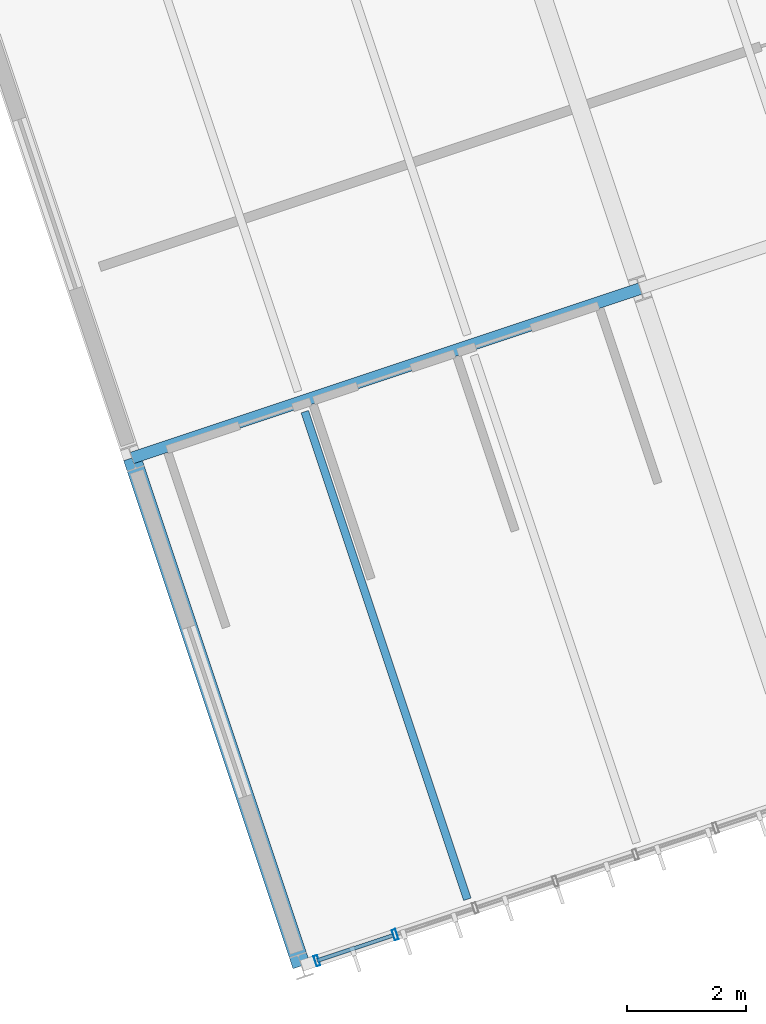
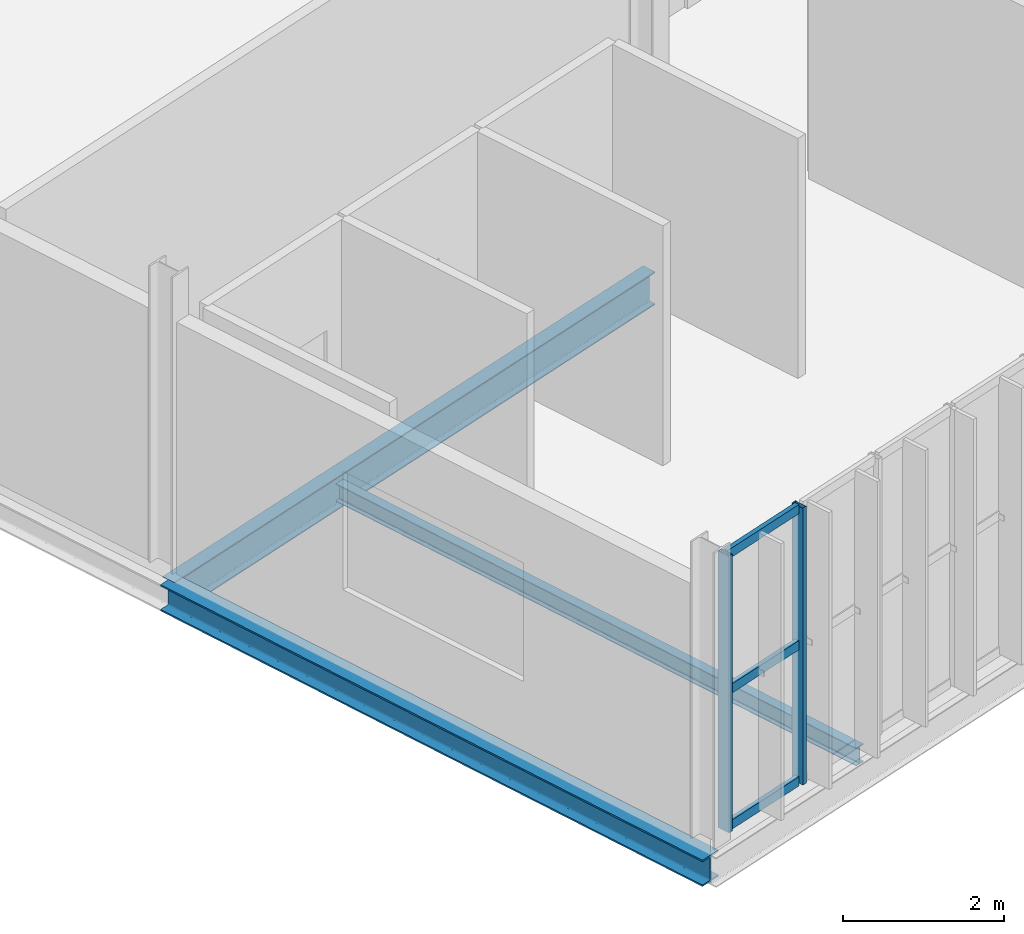
# One storey, part 26 of 152: 5 members, 3 beams, 1 element without a shape of its own.
"""IFC4 building model written with IfcOpenShell, lengths in metres."""

from ifc_helpers import new_model, si_unit, derived_unit, direction, frame, origin, origin_2d, place, context, subcontext, project, spatial, hollow_rectangle, i_section, extrude, material, material_profile, profile_set, type_object, element, aggregate, save


model = new_model("IFC4")

# Units and contexts
model_context = context("Model", 3, precision=1e-05, world=origin(), true_north=direction((0.0, 1.0)))
body_context = subcontext(model_context, "Body", "Model", "MODEL_VIEW")
ifc_project = project(units=[si_unit("LENGTHUNIT", "METRE"), si_unit("AREAUNIT", "SQUARE_METRE"), si_unit("VOLUMEUNIT", "CUBIC_METRE"), si_unit("PLANEANGLEUNIT", "RADIAN"), si_unit("MASSUNIT", "GRAM", prefix="KILO"), si_unit("THERMODYNAMICTEMPERATUREUNIT", "KELVIN"), si_unit("TIMEUNIT", "SECOND"), derived_unit("THERMALTRANSMITTANCEUNIT", [(si_unit("MASSUNIT", "GRAM", prefix="KILO"), 1), (si_unit("THERMODYNAMICTEMPERATUREUNIT", "KELVIN"), -1), (si_unit("TIMEUNIT", "SECOND"), -3)])], contexts=[model_context])

# Site, building, storey
site_placement = place(None, origin())
site = spatial("IfcSite", under=ifc_project, at=site_placement, CompositionType="ELEMENT")
building_placement = place(site_placement, origin())
building = spatial("IfcBuilding", under=site, at=building_placement, Name="Cambertide Market Hall", CompositionType="ELEMENT")
storey_placement = place(building_placement, frame((0.0, 0.0, 5.39990234375)))
storey = spatial("IfcBuildingStorey", under=building, at=storey_placement, Name="L02", CompositionType="ELEMENT", Elevation=5.39990234375)

# Curtain wall, members
ifc_material_1 = material(Name="Marine Anodized Aluminium 6063-T6 AA25", Category="aluminium")
curtain_wall_type = type_object("IfcCurtainWallType", Name="Food Court Upper Glazed Facade", PredefinedType="USERDEFINED", material=ifc_material_1)
curtain_wall_placement = place(storey_placement, origin())
curtain_wall = element("IfcCurtainWall", 1, at=curtain_wall_placement, inside=storey, type_object=curtain_wall_type, Name="Level 2 Curtain Wall CW-V3S-L02-1", ObjectType="UNITIZED CURTAIN WALL", PredefinedType="USERDEFINED")
ifc_material_2 = material(Name="Champagne Marine Anodized Aluminium 6063-T6 AA25", Category="aluminium")
ifc_material_profile_1 = material_profile(ifc_material_2, hollow_rectangle(XDim=0.06494140625, YDim=0.179931640625, WallThickness=0.00390625, at=origin_2d()), Name="ALU MULLION 65x180")
ifc_profile_set_1 = profile_set([ifc_material_profile_1], Name="Champagne Marine Anodized Aluminium 6063-T6 AA25")
member_type_1 = type_object("IfcMemberType", Name="Curtain Wall Mullion ALU MULLION 65x180", PredefinedType="MULLION", material=ifc_profile_set_1)
member_1_placement = place(storey_placement, frame((107.57470703125, 12.52490234375, 0.0), z_axis=(0.0, 0.0, 1.0), x_axis=(-0.948683321523, -0.316227695598, 0.0)))
member_1 = element("IfcMember", 2, at=member_1_placement, type_object=member_type_1, Name="CW-V3S-L02-1 Mullion 6", PredefinedType="MULLION", context=body_context, shape_type="SweptSolid", body=[
    extrude(hollow_rectangle(XDim=0.06494140625, YDim=0.179931640625, WallThickness=0.00390625, at=origin_2d()), origin(), (0.0, 0.0, 1.0), 4.2001953125),
])
member_2_placement = place(storey_placement, frame((106.260986328125, 12.0869140625, 0.0), z_axis=(0.0, 0.0, 1.0), x_axis=(-0.948683321523, -0.316227695598, 0.0)))
member_2 = element("IfcMember", 3, at=member_2_placement, type_object=member_type_1, Name="CW-V3S-L02-1 Mullion 7", PredefinedType="MULLION", context=body_context, shape_type="SweptSolid", body=[
    extrude(hollow_rectangle(XDim=0.06494140625, YDim=0.179931640625, WallThickness=0.00390625, at=origin_2d()), origin(), (0.0, 0.0, 1.0), 4.2001953125),
])
ifc_material_3 = material(Name="Champagne Marine Anodized Aluminium 6063-T6 AA25", Category="aluminium")
ifc_material_profile_2 = material_profile(ifc_material_3, hollow_rectangle(XDim=0.06494140625, YDim=0.139892578125, WallThickness=0.00341796875, at=origin_2d()), Name="ALU TRANSOM 65x140")
ifc_profile_set_2 = profile_set([ifc_material_profile_2], Name="Champagne Marine Anodized Aluminium 6063-T6 AA25")
member_type_2 = type_object("IfcMemberType", Name="Curtain Wall Transom ALU TRANSOM 65x140", PredefinedType="USERDEFINED", material=ifc_profile_set_2)
member_3_placement = place(storey_placement, frame((107.536865234375, 12.51220703125, 0.03515625), z_axis=(-0.948719731918, -0.316118443418, 0.0), x_axis=(0.316118443418, -0.948719731918, 0.0)))
member_3 = element("IfcMember", 4, at=member_3_placement, type_object=member_type_2, Name="CW-V3S-L02-1 Transom 1-6", ObjectType="TRANSOM", PredefinedType="USERDEFINED", context=body_context, shape_type="SweptSolid", body=[
    extrude(hollow_rectangle(XDim=0.06494140625, YDim=0.139892578125, WallThickness=0.00341796875, at=origin_2d()), origin(), (0.0, 0.0, 1.0), 1.33984375),
])
member_4_placement = place(storey_placement, frame((107.536865234375, 12.51220703125, 2.10009765625), z_axis=(-0.948719731918, -0.316118443418, 0.0), x_axis=(0.316118443418, -0.948719731918, 0.0)))
member_4 = element("IfcMember", 5, at=member_4_placement, type_object=member_type_2, Name="CW-V3S-L02-1 Transom 2-6", ObjectType="TRANSOM", PredefinedType="USERDEFINED", context=body_context, shape_type="SweptSolid", body=[
    extrude(hollow_rectangle(XDim=0.06494140625, YDim=0.139892578125, WallThickness=0.00341796875, at=origin_2d()), origin(), (0.0, 0.0, 1.0), 1.33984375),
])
member_5_placement = place(storey_placement, frame((107.536865234375, 12.51220703125, 4.1650390625), z_axis=(-0.948719731918, -0.316118443418, 0.0), x_axis=(0.316118443418, -0.948719731918, 0.0)))
member_5 = element("IfcMember", 6, at=member_5_placement, type_object=member_type_2, Name="CW-V3S-L02-1 Transom 3-6", ObjectType="TRANSOM", PredefinedType="USERDEFINED", context=body_context, shape_type="SweptSolid", body=[
    extrude(hollow_rectangle(XDim=0.06494140625, YDim=0.139892578125, WallThickness=0.00341796875, at=origin_2d()), origin(), (0.0, 0.0, 1.0), 1.33984375),
])
aggregate(curtain_wall, [member_1, member_2, member_3, member_4, member_5])

# Beams
ifc_material_4 = material(Name="Steel S355", Category="steel")
ifc_material_profile_3 = material_profile(ifc_material_4, i_section(OverallWidth=0.300048828125, OverallDepth=0.39990234375, WebThickness=0.013427734375, FlangeThickness=0.02392578125, FilletRadius=0.027099609375, at=origin_2d()), Name="HEB 400")
ifc_profile_set_3 = profile_set([ifc_material_profile_3], Name="Steel S355")
beam_type_1 = type_object("IfcBeamType", Name="Steel Girder HEB 400", PredefinedType="BEAM", material=ifc_profile_set_3)
beam_1_placement = place(storey_placement, frame((106.0, 12.0, -0.449951171875), z_axis=(-0.3162196279, 0.948686010717, 0.0), x_axis=(-0.948686010717, -0.3162196279, 0.0)))
element("IfcBeam", 7, at=beam_1_placement, inside=storey, type_object=beam_type_1, Name="Level 2 Beam BM-V3V-L02-1-1", PredefinedType="BEAM", context=body_context, shape_type="SweptSolid", body=[
    extrude(i_section(OverallWidth=0.300048828125, OverallDepth=0.39990234375, WebThickness=0.013427734375, FlangeThickness=0.02392578125, FilletRadius=0.027099609375, at=origin_2d()), origin(), (0.0, 0.0, 1.0), 9.0),
])
ifc_material_5 = material(Name="Steel S355", Category="steel")
ifc_material_profile_4 = material_profile(ifc_material_5, i_section(OverallWidth=0.199951171875, OverallDepth=0.5, WebThickness=0.01025390625, FlangeThickness=0.01611328125, FilletRadius=0.02099609375, at=origin_2d()), Name="IPE 500")
ifc_profile_set_4 = profile_set([ifc_material_profile_4], Name="Steel S355")
beam_type_2 = type_object("IfcBeamType", Name="Steel Girder IPE 500", PredefinedType="BEAM", material=ifc_profile_set_4)
beam_2_placement = place(storey_placement, frame((103.154052734375, 20.5380859375, -0.5), z_axis=(0.948677872554, 0.31624404204, 0.0), x_axis=(-0.31624404204, 0.948677872554, 0.0)))
element("IfcBeam", 8, at=beam_2_placement, inside=storey, type_object=beam_type_2, Name="Level 2 Beam BM-V3U-L02-1-2", PredefinedType="BEAM", context=body_context, shape_type="SweptSolid", body=[
    extrude(i_section(OverallWidth=0.199951171875, OverallDepth=0.5, WebThickness=0.01025390625, FlangeThickness=0.01611328125, FilletRadius=0.02099609375, at=origin_2d()), origin(), (0.0, 0.0, 1.0), 9.0),
])
ifc_material_6 = material(Name="Steel S275", Category="steel")
ifc_material_profile_5 = material_profile(ifc_material_6, i_section(OverallWidth=0.135009765625, OverallDepth=0.27001953125, WebThickness=0.006591796875, FlangeThickness=0.01025390625, FilletRadius=0.014892578125, at=origin_2d()), Name="IPE 270")
ifc_profile_set_5 = profile_set([ifc_material_profile_5], Name="Steel S275")
beam_type_3 = type_object("IfcBeamType", Name="Steel Secondary Joist IPE 270", PredefinedType="JOIST", material=ifc_profile_set_5)
beam_3_placement = place(storey_placement, frame((108.7890625, 13.119384765625, -0.385009765625), z_axis=(-0.316219289033, 0.94868612367, 0.0), x_axis=(-0.94868612367, -0.316219289033, 0.0)))
element("IfcBeam", 9, at=beam_3_placement, inside=storey, type_object=beam_type_3, Name="Level 2 Joist JS-V3-L02-1-1-1", PredefinedType="JOIST", context=body_context, shape_type="SweptSolid", body=[
    extrude(i_section(OverallWidth=0.135009765625, OverallDepth=0.27001953125, WebThickness=0.006591796875, FlangeThickness=0.01025390625, FilletRadius=0.014892578125, at=origin_2d()), origin(), (0.0, 0.0, 1.0), 8.64013671875),
])

save(model, "model.ifc")
